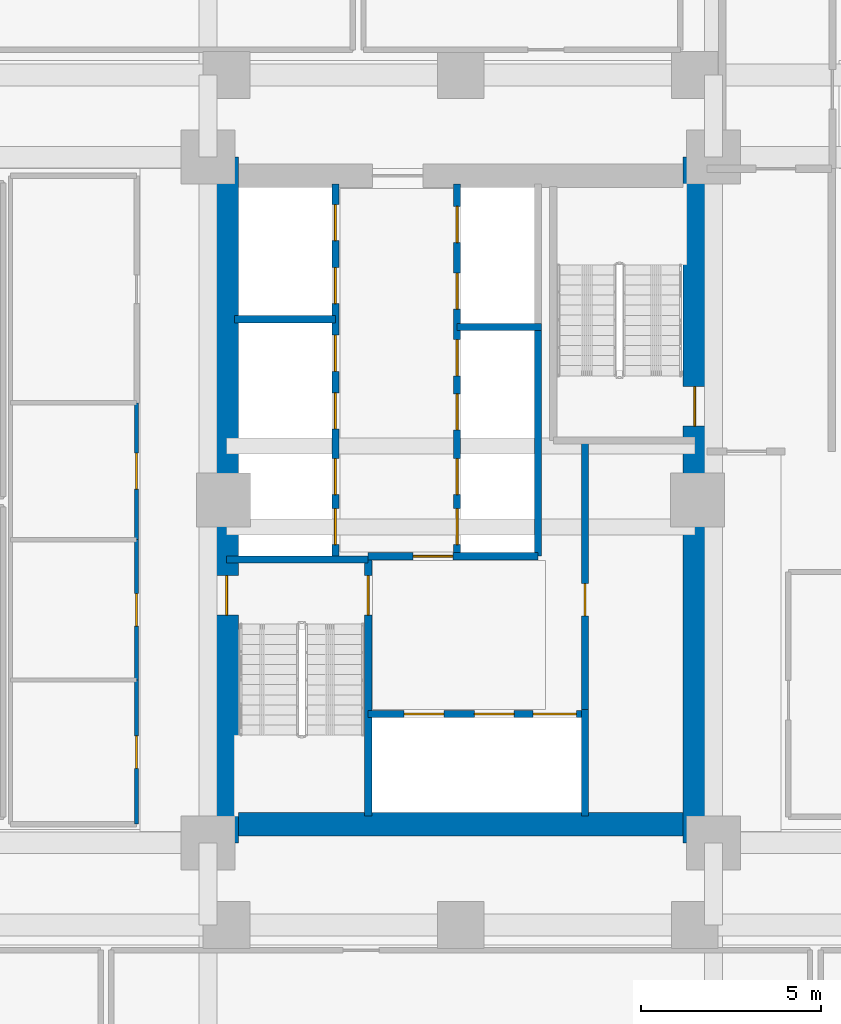
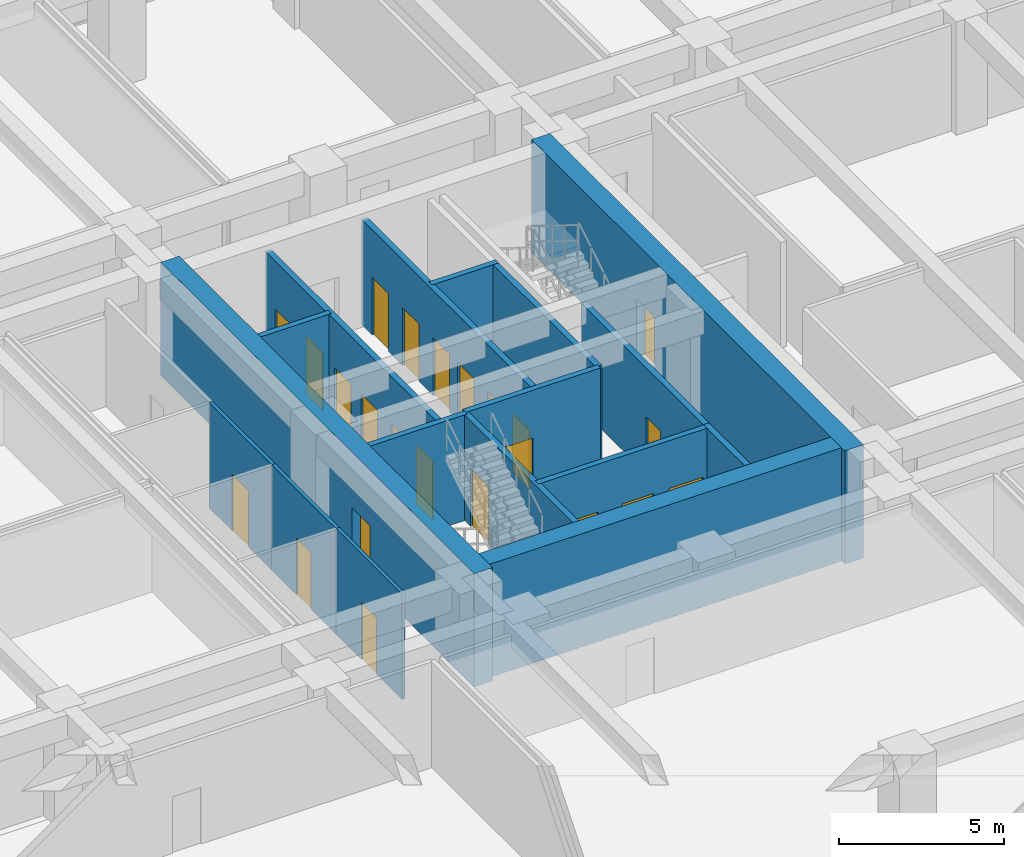
# One storey, part 14 of 24: 23 doors, 17 walls, 23 openings.
"""IFC4 building model written with IfcOpenShell, lengths in metres."""

from ifc_helpers import new_model, si_unit, direction, frame, frame_2d, origin, place, context, subcontext, project, spatial, rectangle, extrude, source, transform, mapped, material, layer, layer_set, type_object, element, fill, save


model = new_model("IFC4")

# Units and contexts
model_context = context("Model", 3, precision=1e-05, world=origin(), true_north=direction((0.0, 1.0)))
body_context = subcontext(model_context, "Body", "Model", "MODEL_VIEW")
ifc_project = project(units=[si_unit("LENGTHUNIT", "METRE"), si_unit("AREAUNIT", "SQUARE_METRE"), si_unit("VOLUMEUNIT", "CUBIC_METRE"), si_unit("PLANEANGLEUNIT", "RADIAN"), si_unit("MASSUNIT", "GRAM", prefix="KILO")], contexts=[model_context])

# Site, building, storey
site_placement = place(None, origin())
site = spatial("IfcSite", under=ifc_project, at=site_placement, CompositionType="ELEMENT")
building_placement = place(site_placement, origin())
building = spatial("IfcBuilding", under=site, at=building_placement, Name="Saelheon Loggia Tower", CompositionType="ELEMENT")
storey_placement = place(building_placement, origin())
storey = spatial("IfcBuildingStorey", under=building, at=storey_placement, Name="L00", CompositionType="ELEMENT", Elevation=0.0)

# Wall, opening, door
ifc_material_1 = material(Name="Concrete C60/75", Category="concrete")
ifc_layer_1 = layer(ifc_material_1, 0.64990234375)
ifc_layer_set_1 = layer_set([ifc_layer_1], Name="Concrete C60/75")
wall_type_1 = type_object("IfcWallType", Name="Wall_CoreShear_650", PredefinedType="SHEAR", material=ifc_layer_set_1)
wall_1_placement = place(storey_placement, frame((31.5, 17.47998046875, 0.0), z_axis=(0.0, 0.0, 1.0), x_axis=(0.0, 1.0, 0.0)))
wall_1 = element("IfcWall", 1, at=wall_1_placement, inside=storey, type_object=wall_type_1, Name="L00 Core Shear Wall West", PredefinedType="SHEAR", context=body_context, shape_type="SweptSolid", body=[
    extrude(rectangle(XDim=19.0400390625, YDim=0.64990234375, at=frame_2d((9.52001953125, 0.0))), origin(), (0.0, 0.0, 1.0), 4.199951171875),
])
opening_1_placement = place(wall_1_placement, frame((6.320068359375, 0.0, 0.0)))
opening_1 = element("IfcOpeningElement", 2, at=opening_1_placement, cuts=wall_1, Name="Opening D-FD2", PredefinedType="OPENING", context=body_context, shape_type="SweptSolid", body=[
    extrude(rectangle(XDim=1.10009765625, YDim=2.14990234375, at=frame_2d((0.550048828125, 1.074951171875))), frame((0.0, 0.3369140625, 0.0), z_axis=(0.0, -1.0, 0.0), x_axis=(1.0, 0.0, 0.0)), (0.0, 0.0, 1.0), 0.673828125),
])
ifc_material_2 = material(Name="Galvanised Steel Fire Door", Category="steel")
door_type_1 = type_object("IfcDoorType", Name="Door_Fire_FD60_1100", OperationType="NOTDEFINED", PredefinedType="DOOR", material=ifc_material_2)
shared_shape_1 = source(origin(), body_context, "Body", "SweptSolid", [
    extrude(rectangle(XDim=1.10009765625, YDim=2.14990234375, at=frame_2d((0.550048828125, 1.074951171875))), frame((0.0, 0.02490234375, 0.0), z_axis=(0.0, -1.0, 0.0), x_axis=(1.0, 0.0, 0.0)), (0.0, 0.0, 1.0), 0.050048828125),
])
door_1_placement = place(opening_1_placement, origin())
door_1 = element("IfcDoor", 3, at=door_1_placement, inside=storey, type_object=door_type_1, Name="L00 Stair ST1 Corridor Door", OperationType="SINGLE_SWING_LEFT", OverallHeight=2.14990234375, OverallWidth=1.10009765625, PredefinedType="DOOR", context=body_context, shape_type="MappedRepresentation", body=[
    mapped(shared_shape_1, transform((0.0, 0.0, 0.0), scale=1.0)),
])
fill(opening_1, door_1)

wall_2_placement = place(storey_placement, frame((44.5, 17.47998046875, 0.0), z_axis=(0.0, 0.0, 1.0), x_axis=(0.0, 1.0, 0.0)))
wall_2 = element("IfcWall", 4, at=wall_2_placement, inside=storey, type_object=wall_type_1, Name="L00 Core Shear Wall East", PredefinedType="SHEAR", context=body_context, shape_type="SweptSolid", body=[
    extrude(rectangle(XDim=19.0400390625, YDim=0.64990234375, at=frame_2d((9.52001953125, 0.0))), origin(), (0.0, 0.0, 1.0), 4.199951171875),
])
opening_2_placement = place(wall_2_placement, frame((12.670166015625, 0.0, 0.0), z_axis=(0.0, 0.0, 1.0), x_axis=(-1.0, 0.0, 0.0)))
opening_2 = element("IfcOpeningElement", 5, at=opening_2_placement, cuts=wall_2, Name="Opening D-FD2", PredefinedType="OPENING", context=body_context, shape_type="SweptSolid", body=[
    extrude(rectangle(XDim=1.10009765625, YDim=2.14990234375, at=frame_2d((0.550048828125, 1.074951171875))), frame((0.0, 0.3369140625, 0.0), z_axis=(0.0, -1.0, 0.0), x_axis=(1.0, 0.0, 0.0)), (0.0, 0.0, 1.0), 0.673828125),
])
door_2_placement = place(opening_2_placement, origin())
door_2 = element("IfcDoor", 6, at=door_2_placement, inside=storey, type_object=door_type_1, Name="L00 Stair ST2 Corridor Door", OperationType="SINGLE_SWING_RIGHT", OverallHeight=2.14990234375, OverallWidth=1.10009765625, PredefinedType="DOOR", context=body_context, shape_type="MappedRepresentation", body=[
    mapped(shared_shape_1, transform((0.0, 0.0, 0.0), scale=1.0)),
])
fill(opening_2, door_2)

# Walls
wall_3_placement = place(storey_placement, frame((31.824951171875, 18.0, 0.0), z_axis=(0.0, 0.0, 1.0), x_axis=(1.0, 0.0, 0.0)))
element("IfcWall", 7, at=wall_3_placement, inside=storey, type_object=wall_type_1, Name="L00 Core Shear Wall South", PredefinedType="SHEAR", context=body_context, shape_type="SweptSolid", body=[
    extrude(rectangle(XDim=12.35009765625, YDim=0.64990234375, at=frame_2d((6.175048828125, 0.0))), origin(), (0.0, 0.0, 1.0), 4.199951171875),
])
ifc_material_3 = material(Name="Concrete C40/50", Category="concrete")
ifc_layer_2 = layer(ifc_material_3, 0.199951171875)
ifc_layer_set_2 = layer_set([ifc_layer_2], Name="Concrete C40/50")
wall_type_2 = type_object("IfcWallType", Name="Wall_Shaft_200", PredefinedType="PARTITIONING", material=ifc_layer_set_2)
wall_4_placement = place(storey_placement, frame((41.449951171875, 18.219970703125, 0.0), z_axis=(0.0, 0.0, 1.0), x_axis=(0.0, 1.0, 0.0)))
element("IfcWall", 8, at=wall_4_placement, inside=storey, type_object=wall_type_2, Name="CW-INT-L00-BOH-W0", PredefinedType="PARTITIONING", context=body_context, shape_type="SweptSolid", body=[
    extrude(rectangle(XDim=2.9599609375, YDim=0.199951171875, at=frame_2d((1.47998046875, 0.0))), origin(), (0.0, 0.0, 1.0), 3.919921875),
])

# Wall, opening, door
wall_5_placement = place(storey_placement, frame((41.449951171875, 21.179931640625, 0.0), z_axis=(0.0, 0.0, 1.0), x_axis=(0.0, 1.0, 0.0)))
wall_5 = element("IfcWall", 9, at=wall_5_placement, inside=storey, type_object=wall_type_2, Name="CW-INT-L00-BOH-W1", PredefinedType="PARTITIONING", context=body_context, shape_type="SweptSolid", body=[
    extrude(rectangle(XDim=7.420166015625, YDim=0.199951171875, at=frame_2d((3.7099609375, 0.0))), origin(), (0.0, 0.0, 1.0), 3.919921875),
])
opening_3_placement = place(wall_5_placement, frame((2.60009765625, 0.0, 0.0)))
opening_3 = element("IfcOpeningElement", 10, at=opening_3_placement, cuts=wall_5, Name="Opening D-RS1", PredefinedType="OPENING", context=body_context, shape_type="SweptSolid", body=[
    extrude(rectangle(XDim=0.89990234375, YDim=2.10009765625, at=frame_2d((0.449951171875, 1.050048828125))), frame((0.0, 0.112060546875, 0.0), z_axis=(0.0, -1.0, 0.0), x_axis=(1.0, 0.0, 0.0)), (0.0, 0.0, 1.0), 0.223876953125),
])
ifc_material_4 = material(Name="Galvanised Steel Riser Access Door", Category="steel")
door_type_2 = type_object("IfcDoorType", Name="Door_Riser_FD60", OperationType="NOTDEFINED", PredefinedType="DOOR", material=ifc_material_4)
shared_shape_2 = source(origin(), body_context, "Body", "SweptSolid", [
    extrude(rectangle(XDim=0.89990234375, YDim=2.10009765625, at=frame_2d((0.449951171875, 1.050048828125))), frame((0.0, 0.02490234375, 0.0), z_axis=(0.0, -1.0, 0.0), x_axis=(1.0, 0.0, 0.0)), (0.0, 0.0, 1.0), 0.050048828125),
])
door_3_placement = place(opening_3_placement, origin())
door_3 = element("IfcDoor", 11, at=door_3_placement, inside=storey, type_object=door_type_2, Name="L00 Core Service Store Door", OperationType="SINGLE_SWING_LEFT", OverallHeight=2.10009765625, OverallWidth=0.89990234375, PredefinedType="DOOR", context=body_context, shape_type="MappedRepresentation", body=[
    mapped(shared_shape_2, transform((0.0, 0.0, 0.0), scale=1.0)),
])
fill(opening_3, door_3)

# Wall
wall_6_placement = place(storey_placement, frame((40.14990234375, 25.43994140625, 0.0), z_axis=(0.0, 0.0, 1.0), x_axis=(0.0, 1.0, 0.0)))
element("IfcWall", 12, at=wall_6_placement, inside=storey, type_object=wall_type_2, Name="L00 Core Service Passage West Wall", PredefinedType="PARTITIONING", context=body_context, shape_type="SweptSolid", body=[
    extrude(rectangle(XDim=6.360107421875, YDim=0.199951171875, at=frame_2d((3.18017578125, 0.0))), origin(), (0.0, 0.0, 1.0), 3.919921875),
])

# Wall, openings, doors
wall_7_placement = place(storey_placement, frame((35.429931640625, 21.06005859375, 0.0), z_axis=(0.0, 0.0, 1.0), x_axis=(1.0, 0.0, 0.0)))
wall_7 = element("IfcWall", 13, at=wall_7_placement, inside=storey, type_object=wall_type_2, Name="L00 Firefighting Lift Shaft Front Wall", PredefinedType="PARTITIONING", context=body_context, shape_type="SweptSolid", body=[
    extrude(rectangle(XDim=6.02001953125, YDim=0.199951171875, at=frame_2d((3.010009765625, 0.0))), origin(), (0.0, 0.0, 1.0), 3.919921875),
])
opening_4_placement = place(wall_7_placement, frame((1.0, 0.0, 0.0)))
opening_4 = element("IfcOpeningElement", 14, at=opening_4_placement, cuts=wall_7, Name="Opening LD2", PredefinedType="OPENING", context=body_context, shape_type="SweptSolid", body=[
    extrude(rectangle(XDim=1.10009765625, YDim=2.14990234375, at=frame_2d((0.550048828125, 1.074951171875))), frame((0.0, 0.112060546875, 0.0), z_axis=(0.0, -1.0, 0.0), x_axis=(1.0, 0.0, 0.0)), (0.0, 0.0, 1.0), 0.223876953125),
])
opening_5_placement = place(wall_7_placement, frame((2.949951171875, 0.0, 0.0)))
opening_5 = element("IfcOpeningElement", 15, at=opening_5_placement, cuts=wall_7, Name="Opening LD2", PredefinedType="OPENING", context=body_context, shape_type="SweptSolid", body=[
    extrude(rectangle(XDim=1.10009765625, YDim=2.14990234375, at=frame_2d((0.550048828125, 1.074951171875))), frame((0.0, 0.112060546875, 0.0), z_axis=(0.0, -1.0, 0.0), x_axis=(1.0, 0.0, 0.0)), (0.0, 0.0, 1.0), 0.223876953125),
])
opening_6_placement = place(wall_7_placement, frame((4.580078125, 0.0, 0.0)))
opening_6 = element("IfcOpeningElement", 16, at=opening_6_placement, cuts=wall_7, Name="Opening LD3", PredefinedType="OPENING", context=body_context, shape_type="SweptSolid", body=[
    extrude(rectangle(XDim=1.199951171875, YDim=2.14990234375, at=frame_2d((0.60009765625, 1.074951171875))), frame((0.0, 0.112060546875, 0.0), z_axis=(0.0, -1.0, 0.0), x_axis=(1.0, 0.0, 0.0)), (0.0, 0.0, 1.0), 0.223876953125),
])
ifc_material_5 = material(Name="Firefighting Stainless Steel 316 Landing Door", Category="steel")
door_type_3 = type_object("IfcDoorType", Name="Door_Lift_LD2", OperationType="DOUBLE_DOOR_SLIDING", PredefinedType="DOOR", material=ifc_material_5)
door_4_placement = place(opening_4_placement, origin())
door_4 = element("IfcDoor", 17, at=door_4_placement, inside=storey, type_object=door_type_3, Name="L00 FF1 Landing Door", OperationType="DOUBLE_DOOR_SLIDING", OverallHeight=2.14990234375, OverallWidth=1.10009765625, PredefinedType="DOOR", context=body_context, shape_type="MappedRepresentation", body=[
    mapped(shared_shape_1, transform((0.0, 0.0, 0.0), scale=1.0)),
])
fill(opening_4, door_4)
door_5_placement = place(opening_5_placement, origin())
door_5 = element("IfcDoor", 18, at=door_5_placement, inside=storey, type_object=door_type_3, Name="L00 FF2 Landing Door", OperationType="DOUBLE_DOOR_SLIDING", OverallHeight=2.14990234375, OverallWidth=1.10009765625, PredefinedType="DOOR", context=body_context, shape_type="MappedRepresentation", body=[
    mapped(shared_shape_1, transform((0.0, 0.0, 0.0), scale=1.0)),
])
fill(opening_5, door_5)
ifc_material_6 = material(Name="Stretcher Lift Stainless Steel 304 Landing Door", Category="steel")
door_type_4 = type_object("IfcDoorType", Name="Door_Lift_LD3", OperationType="DOUBLE_DOOR_SLIDING", PredefinedType="DOOR", material=ifc_material_6)
shared_shape_3 = source(origin(), body_context, "Body", "SweptSolid", [
    extrude(rectangle(XDim=1.199951171875, YDim=2.14990234375, at=frame_2d((0.60009765625, 1.074951171875))), frame((0.0, 0.02490234375, 0.0), z_axis=(0.0, -1.0, 0.0), x_axis=(1.0, 0.0, 0.0)), (0.0, 0.0, 1.0), 0.050048828125),
])
door_6_placement = place(opening_6_placement, origin())
door_6 = element("IfcDoor", 19, at=door_6_placement, inside=storey, type_object=door_type_4, Name="L00 SV1 Landing Door", OperationType="DOUBLE_DOOR_SLIDING", OverallHeight=2.14990234375, OverallWidth=1.199951171875, PredefinedType="DOOR", context=body_context, shape_type="MappedRepresentation", body=[
    mapped(shared_shape_3, transform((0.0, 0.0, 0.0), scale=1.0)),
])
fill(opening_6, door_6)

# Wall, opening, door
wall_8_placement = place(storey_placement, frame((35.429931640625, 25.43994140625, 0.0), z_axis=(0.0, 0.0, 1.0), x_axis=(1.0, 0.0, 0.0)))
wall_8 = element("IfcWall", 20, at=wall_8_placement, inside=storey, type_object=wall_type_2, Name="L00 Firefighting Lobby Compartment Wall", PredefinedType="PARTITIONING", context=body_context, shape_type="SweptSolid", body=[
    extrude(rectangle(XDim=4.719970703125, YDim=0.199951171875, at=frame_2d((2.35986328125, 0.0))), origin(), (0.0, 0.0, 1.0), 3.919921875),
])
opening_7_placement = place(wall_8_placement, frame((1.25, 0.0, 0.0)))
opening_7 = element("IfcOpeningElement", 21, at=opening_7_placement, cuts=wall_8, Name="Opening D-FD2", PredefinedType="OPENING", context=body_context, shape_type="SweptSolid", body=[
    extrude(rectangle(XDim=1.10009765625, YDim=2.14990234375, at=frame_2d((0.550048828125, 1.074951171875))), frame((0.0, 0.112060546875, 0.0), z_axis=(0.0, -1.0, 0.0), x_axis=(1.0, 0.0, 0.0)), (0.0, 0.0, 1.0), 0.223876953125),
])
door_7_placement = place(opening_7_placement, origin())
door_7 = element("IfcDoor", 22, at=door_7_placement, inside=storey, type_object=door_type_1, Name="L00 Firefighting Lobby Door", OperationType="SINGLE_SWING_RIGHT", OverallHeight=2.14990234375, OverallWidth=1.10009765625, PredefinedType="DOOR", context=body_context, shape_type="MappedRepresentation", body=[
    mapped(shared_shape_1, transform((0.0, 0.0, 0.0), scale=1.0)),
])
fill(opening_7, door_7)

# Wall, openings, doors
wall_9_placement = place(storey_placement, frame((34.52001953125, 25.43994140625, 0.0), z_axis=(0.0, 0.0, 1.0), x_axis=(0.0, 1.0, 0.0)))
wall_9 = element("IfcWall", 23, at=wall_9_placement, inside=storey, type_object=wall_type_2, Name="L00 West Passenger Lift Bank Wall", PredefinedType="PARTITIONING", context=body_context, shape_type="SweptSolid", body=[
    extrude(rectangle(XDim=10.340087890625, YDim=0.199951171875, at=frame_2d((5.169921875, 0.0))), origin(), (0.0, 0.0, 1.0), 3.919921875),
])
opening_8_placement = place(wall_9_placement, frame((0.320068359375, 0.0, 0.0)))
opening_8 = element("IfcOpeningElement", 24, at=opening_8_placement, cuts=wall_9, Name="Opening LD1", PredefinedType="OPENING", context=body_context, shape_type="SweptSolid", body=[
    extrude(rectangle(XDim=1.0, YDim=2.14990234375, at=frame_2d((0.5, 1.074951171875))), frame((0.0, 0.112060546875, 0.0), z_axis=(0.0, -1.0, 0.0), x_axis=(1.0, 0.0, 0.0)), (0.0, 0.0, 1.0), 0.223876953125),
])
opening_9_placement = place(wall_9_placement, frame((1.7099609375, 0.0, 0.0)))
opening_9 = element("IfcOpeningElement", 25, at=opening_9_placement, cuts=wall_9, Name="Opening LD1", PredefinedType="OPENING", context=body_context, shape_type="SweptSolid", body=[
    extrude(rectangle(XDim=1.0, YDim=2.14990234375, at=frame_2d((0.5, 1.074951171875))), frame((0.0, 0.112060546875, 0.0), z_axis=(0.0, -1.0, 0.0), x_axis=(1.0, 0.0, 0.0)), (0.0, 0.0, 1.0), 0.223876953125),
])
opening_10_placement = place(wall_9_placement, frame((3.534912109375, 0.0, 0.0)))
opening_10 = element("IfcOpeningElement", 26, at=opening_10_placement, cuts=wall_9, Name="Opening LD1", PredefinedType="OPENING", context=body_context, shape_type="SweptSolid", body=[
    extrude(rectangle(XDim=1.0, YDim=2.14990234375, at=frame_2d((0.5, 1.074951171875))), frame((0.0, 0.112060546875, 0.0), z_axis=(0.0, -1.0, 0.0), x_axis=(1.0, 0.0, 0.0)), (0.0, 0.0, 1.0), 0.223876953125),
])
opening_11_placement = place(wall_9_placement, frame((5.135009765625, 0.0, 0.0)))
opening_11 = element("IfcOpeningElement", 27, at=opening_11_placement, cuts=wall_9, Name="Opening LD1", PredefinedType="OPENING", context=body_context, shape_type="SweptSolid", body=[
    extrude(rectangle(XDim=1.0, YDim=2.14990234375, at=frame_2d((0.5, 1.074951171875))), frame((0.0, 0.112060546875, 0.0), z_axis=(0.0, -1.0, 0.0), x_axis=(1.0, 0.0, 0.0)), (0.0, 0.0, 1.0), 0.223876953125),
])
opening_12_placement = place(wall_9_placement, frame((7.010009765625, 0.0, 0.0)))
opening_12 = element("IfcOpeningElement", 28, at=opening_12_placement, cuts=wall_9, Name="Opening LD1", PredefinedType="OPENING", context=body_context, shape_type="SweptSolid", body=[
    extrude(rectangle(XDim=1.0, YDim=2.14990234375, at=frame_2d((0.5, 1.074951171875))), frame((0.0, 0.112060546875, 0.0), z_axis=(0.0, -1.0, 0.0), x_axis=(1.0, 0.0, 0.0)), (0.0, 0.0, 1.0), 0.223876953125),
])
opening_13_placement = place(wall_9_placement, frame((8.760009765625, 0.0, 0.0)))
opening_13 = element("IfcOpeningElement", 29, at=opening_13_placement, cuts=wall_9, Name="Opening LD1", PredefinedType="OPENING", context=body_context, shape_type="SweptSolid", body=[
    extrude(rectangle(XDim=1.0, YDim=2.14990234375, at=frame_2d((0.5, 1.074951171875))), frame((0.0, 0.112060546875, 0.0), z_axis=(0.0, -1.0, 0.0), x_axis=(1.0, 0.0, 0.0)), (0.0, 0.0, 1.0), 0.223876953125),
])
ifc_material_7 = material(Name="Brushed Stainless Steel 304 Landing Door", Category="steel")
door_type_5 = type_object("IfcDoorType", Name="Door_Lift_LD1", OperationType="DOUBLE_DOOR_SLIDING", PredefinedType="DOOR", material=ifc_material_7)
shared_shape_4 = source(origin(), body_context, "Body", "SweptSolid", [
    extrude(rectangle(XDim=1.0, YDim=2.14990234375, at=frame_2d((0.5, 1.074951171875))), frame((0.0, 0.02490234375, 0.0), z_axis=(0.0, -1.0, 0.0), x_axis=(1.0, 0.0, 0.0)), (0.0, 0.0, 1.0), 0.050048828125),
])
door_8_placement = place(opening_8_placement, origin())
door_8 = element("IfcDoor", 30, at=door_8_placement, inside=storey, type_object=door_type_5, Name="L00 PL1 Landing Door", OperationType="DOUBLE_DOOR_SLIDING", OverallHeight=2.14990234375, OverallWidth=1.0, PredefinedType="DOOR", context=body_context, shape_type="MappedRepresentation", body=[
    mapped(shared_shape_4, transform((0.0, 0.0, 0.0), scale=1.0)),
])
fill(opening_8, door_8)
door_9_placement = place(opening_9_placement, origin())
door_9 = element("IfcDoor", 31, at=door_9_placement, inside=storey, type_object=door_type_5, Name="L00 PL2 Landing Door", OperationType="DOUBLE_DOOR_SLIDING", OverallHeight=2.14990234375, OverallWidth=1.0, PredefinedType="DOOR", context=body_context, shape_type="MappedRepresentation", body=[
    mapped(shared_shape_4, transform((0.0, 0.0, 0.0), scale=1.0)),
])
fill(opening_9, door_9)
door_10_placement = place(opening_10_placement, origin())
door_10 = element("IfcDoor", 32, at=door_10_placement, inside=storey, type_object=door_type_5, Name="L00 PL3 Landing Door", OperationType="DOUBLE_DOOR_SLIDING", OverallHeight=2.14990234375, OverallWidth=1.0, PredefinedType="DOOR", context=body_context, shape_type="MappedRepresentation", body=[
    mapped(shared_shape_4, transform((0.0, 0.0, 0.0), scale=1.0)),
])
fill(opening_10, door_10)
door_11_placement = place(opening_11_placement, origin())
door_11 = element("IfcDoor", 33, at=door_11_placement, inside=storey, type_object=door_type_5, Name="L00 PL4 Landing Door", OperationType="DOUBLE_DOOR_SLIDING", OverallHeight=2.14990234375, OverallWidth=1.0, PredefinedType="DOOR", context=body_context, shape_type="MappedRepresentation", body=[
    mapped(shared_shape_4, transform((0.0, 0.0, 0.0), scale=1.0)),
])
fill(opening_11, door_11)
door_12_placement = place(opening_12_placement, origin())
door_12 = element("IfcDoor", 34, at=door_12_placement, inside=storey, type_object=door_type_5, Name="L00 PH1 Landing Door", OperationType="DOUBLE_DOOR_SLIDING", OverallHeight=2.14990234375, OverallWidth=1.0, PredefinedType="DOOR", context=body_context, shape_type="MappedRepresentation", body=[
    mapped(shared_shape_4, transform((0.0, 0.0, 0.0), scale=1.0)),
])
fill(opening_12, door_12)
door_13_placement = place(opening_13_placement, origin())
door_13 = element("IfcDoor", 35, at=door_13_placement, inside=storey, type_object=door_type_5, Name="L00 PH2 Landing Door", OperationType="DOUBLE_DOOR_SLIDING", OverallHeight=2.14990234375, OverallWidth=1.0, PredefinedType="DOOR", context=body_context, shape_type="MappedRepresentation", body=[
    mapped(shared_shape_4, transform((0.0, 0.0, 0.0), scale=1.0)),
])
fill(opening_13, door_13)

# Wall
wall_10_placement = place(storey_placement, frame((31.719970703125, 32.02001953125, 0.0), z_axis=(0.0, 0.0, 1.0), x_axis=(1.0, 0.0, 0.0)))
element("IfcWall", 36, at=wall_10_placement, inside=storey, type_object=wall_type_2, Name="L00 West High-Rise Shaft Divider", PredefinedType="PARTITIONING", context=body_context, shape_type="SweptSolid", body=[
    extrude(rectangle(XDim=2.800048828125, YDim=0.199951171875, at=frame_2d((1.39990234375, 0.0))), origin(), (0.0, 0.0, 1.0), 3.919921875),
])

# Wall, openings, doors
wall_11_placement = place(storey_placement, frame((37.89990234375, 25.43994140625, 0.0), z_axis=(0.0, 0.0, 1.0), x_axis=(0.0, 1.0, 0.0)))
wall_11 = element("IfcWall", 37, at=wall_11_placement, inside=storey, type_object=wall_type_2, Name="L00 East Passenger Lift Bank Wall", PredefinedType="PARTITIONING", context=body_context, shape_type="SweptSolid", body=[
    extrude(rectangle(XDim=10.340087890625, YDim=0.199951171875, at=frame_2d((5.169921875, 0.0))), origin(), (0.0, 0.0, 1.0), 3.919921875),
])
opening_14_placement = place(wall_11_placement, frame((0.320068359375, 0.0, 0.0)))
opening_14 = element("IfcOpeningElement", 38, at=opening_14_placement, cuts=wall_11, Name="Opening LD1", PredefinedType="OPENING", context=body_context, shape_type="SweptSolid", body=[
    extrude(rectangle(XDim=1.0, YDim=2.14990234375, at=frame_2d((0.5, 1.074951171875))), frame((0.0, 0.112060546875, 0.0), z_axis=(0.0, -1.0, 0.0), x_axis=(1.0, 0.0, 0.0)), (0.0, 0.0, 1.0), 0.223876953125),
])
opening_15_placement = place(wall_11_placement, frame((1.7099609375, 0.0, 0.0)))
opening_15 = element("IfcOpeningElement", 39, at=opening_15_placement, cuts=wall_11, Name="Opening LD1", PredefinedType="OPENING", context=body_context, shape_type="SweptSolid", body=[
    extrude(rectangle(XDim=1.0, YDim=2.14990234375, at=frame_2d((0.5, 1.074951171875))), frame((0.0, 0.112060546875, 0.0), z_axis=(0.0, -1.0, 0.0), x_axis=(1.0, 0.0, 0.0)), (0.0, 0.0, 1.0), 0.223876953125),
])
opening_16_placement = place(wall_11_placement, frame((3.510009765625, 0.0, 0.0)))
opening_16 = element("IfcOpeningElement", 40, at=opening_16_placement, cuts=wall_11, Name="Opening LD1", PredefinedType="OPENING", context=body_context, shape_type="SweptSolid", body=[
    extrude(rectangle(XDim=1.0, YDim=2.14990234375, at=frame_2d((0.5, 1.074951171875))), frame((0.0, 0.112060546875, 0.0), z_axis=(0.0, -1.0, 0.0), x_axis=(1.0, 0.0, 0.0)), (0.0, 0.0, 1.0), 0.223876953125),
])
opening_17_placement = place(wall_11_placement, frame((5.010009765625, 0.0, 0.0)))
opening_17 = element("IfcOpeningElement", 41, at=opening_17_placement, cuts=wall_11, Name="Opening LD1", PredefinedType="OPENING", context=body_context, shape_type="SweptSolid", body=[
    extrude(rectangle(XDim=1.0, YDim=2.14990234375, at=frame_2d((0.5, 1.074951171875))), frame((0.0, 0.112060546875, 0.0), z_axis=(0.0, -1.0, 0.0), x_axis=(1.0, 0.0, 0.0)), (0.0, 0.0, 1.0), 0.223876953125),
])
opening_18_placement = place(wall_11_placement, frame((6.860107421875, 0.0, 0.0)))
opening_18 = element("IfcOpeningElement", 42, at=opening_18_placement, cuts=wall_11, Name="Opening LD1", PredefinedType="OPENING", context=body_context, shape_type="SweptSolid", body=[
    extrude(rectangle(XDim=1.0, YDim=2.14990234375, at=frame_2d((0.5, 1.074951171875))), frame((0.0, 0.112060546875, 0.0), z_axis=(0.0, -1.0, 0.0), x_axis=(1.0, 0.0, 0.0)), (0.0, 0.0, 1.0), 0.223876953125),
])
opening_19_placement = place(wall_11_placement, frame((8.7099609375, 0.0, 0.0)))
opening_19 = element("IfcOpeningElement", 43, at=opening_19_placement, cuts=wall_11, Name="Opening LD1", PredefinedType="OPENING", context=body_context, shape_type="SweptSolid", body=[
    extrude(rectangle(XDim=1.0, YDim=2.14990234375, at=frame_2d((0.5, 1.074951171875))), frame((0.0, 0.112060546875, 0.0), z_axis=(0.0, -1.0, 0.0), x_axis=(1.0, 0.0, 0.0)), (0.0, 0.0, 1.0), 0.223876953125),
])
door_14_placement = place(opening_14_placement, origin())
door_14 = element("IfcDoor", 44, at=door_14_placement, inside=storey, type_object=door_type_5, Name="L00 PM1 Landing Door", OperationType="DOUBLE_DOOR_SLIDING", OverallHeight=2.14990234375, OverallWidth=1.0, PredefinedType="DOOR", context=body_context, shape_type="MappedRepresentation", body=[
    mapped(shared_shape_4, transform((0.0, 0.0, 0.0), scale=1.0)),
])
fill(opening_14, door_14)
door_15_placement = place(opening_15_placement, origin())
door_15 = element("IfcDoor", 45, at=door_15_placement, inside=storey, type_object=door_type_5, Name="L00 PM2 Landing Door", OperationType="DOUBLE_DOOR_SLIDING", OverallHeight=2.14990234375, OverallWidth=1.0, PredefinedType="DOOR", context=body_context, shape_type="MappedRepresentation", body=[
    mapped(shared_shape_4, transform((0.0, 0.0, 0.0), scale=1.0)),
])
fill(opening_15, door_15)
door_16_placement = place(opening_16_placement, origin())
door_16 = element("IfcDoor", 46, at=door_16_placement, inside=storey, type_object=door_type_5, Name="L00 PM3 Landing Door", OperationType="DOUBLE_DOOR_SLIDING", OverallHeight=2.14990234375, OverallWidth=1.0, PredefinedType="DOOR", context=body_context, shape_type="MappedRepresentation", body=[
    mapped(shared_shape_4, transform((0.0, 0.0, 0.0), scale=1.0)),
])
fill(opening_16, door_16)
door_17_placement = place(opening_17_placement, origin())
door_17 = element("IfcDoor", 47, at=door_17_placement, inside=storey, type_object=door_type_5, Name="L00 PM4 Landing Door", OperationType="DOUBLE_DOOR_SLIDING", OverallHeight=2.14990234375, OverallWidth=1.0, PredefinedType="DOOR", context=body_context, shape_type="MappedRepresentation", body=[
    mapped(shared_shape_4, transform((0.0, 0.0, 0.0), scale=1.0)),
])
fill(opening_17, door_17)
door_18_placement = place(opening_18_placement, origin())
door_18 = element("IfcDoor", 48, at=door_18_placement, inside=storey, type_object=door_type_5, Name="L00 PH3 Landing Door", OperationType="DOUBLE_DOOR_SLIDING", OverallHeight=2.14990234375, OverallWidth=1.0, PredefinedType="DOOR", context=body_context, shape_type="MappedRepresentation", body=[
    mapped(shared_shape_4, transform((0.0, 0.0, 0.0), scale=1.0)),
])
fill(opening_18, door_18)
door_19_placement = place(opening_19_placement, origin())
door_19 = element("IfcDoor", 49, at=door_19_placement, inside=storey, type_object=door_type_5, Name="L00 PH4 Landing Door", OperationType="DOUBLE_DOOR_SLIDING", OverallHeight=2.14990234375, OverallWidth=1.0, PredefinedType="DOOR", context=body_context, shape_type="MappedRepresentation", body=[
    mapped(shared_shape_4, transform((0.0, 0.0, 0.0), scale=1.0)),
])
fill(opening_19, door_19)

# Wall
wall_12_placement = place(storey_placement, frame((37.89990234375, 31.800048828125, 0.0), z_axis=(0.0, 0.0, 1.0), x_axis=(1.0, 0.0, 0.0)))
element("IfcWall", 50, at=wall_12_placement, inside=storey, type_object=wall_type_2, Name="L00 East High-Rise Shaft Divider", PredefinedType="PARTITIONING", context=body_context, shape_type="SweptSolid", body=[
    extrude(rectangle(XDim=2.35009765625, YDim=0.199951171875, at=frame_2d((1.175048828125, 0.0))), origin(), (0.0, 0.0, 1.0), 3.919921875),
])

# Wall, opening, door
ifc_material_8 = material(Name="Concrete C45/55", Category="concrete")
ifc_layer_3 = layer(ifc_material_8, 0.199951171875)
ifc_layer_set_3 = layer_set([ifc_layer_3], Name="Concrete C45/55")
wall_type_3 = type_object("IfcWallType", Name="Wall_StairShaft_RC200", PredefinedType="SOLIDWALL", material=ifc_layer_set_3)
wall_13_placement = place(storey_placement, frame((35.429931640625, 18.219970703125, 0.0), z_axis=(0.0, 0.0, 1.0), x_axis=(0.0, 1.0, 0.0)))
wall_13 = element("IfcWall", 51, at=wall_13_placement, inside=storey, type_object=wall_type_3, Name="L00 Stair ST1 Shaft Wall", PredefinedType="SOLIDWALL", context=body_context, shape_type="SweptSolid", body=[
    extrude(rectangle(XDim=7.219970703125, YDim=0.199951171875, at=frame_2d((3.60986328125, 0.0))), origin(), (0.0, 0.0, 1.0), 3.919921875),
])
opening_20_placement = place(wall_13_placement, frame((6.68017578125, 0.0, 0.0), z_axis=(0.0, 0.0, 1.0), x_axis=(-1.0, 0.0, 0.0)))
opening_20 = element("IfcOpeningElement", 52, at=opening_20_placement, cuts=wall_13, Name="Opening D-FD2", PredefinedType="OPENING", context=body_context, shape_type="SweptSolid", body=[
    extrude(rectangle(XDim=1.10009765625, YDim=2.14990234375, at=frame_2d((0.550048828125, 1.074951171875))), frame((0.0, 0.112060546875, 0.0), z_axis=(0.0, -1.0, 0.0), x_axis=(1.0, 0.0, 0.0)), (0.0, 0.0, 1.0), 0.223876953125),
])
door_20_placement = place(opening_20_placement, origin())
door_20 = element("IfcDoor", 53, at=door_20_placement, inside=storey, type_object=door_type_1, Name="L00 Stair ST1 Lobby Door", OperationType="SINGLE_SWING_LEFT", OverallHeight=2.14990234375, OverallWidth=1.10009765625, PredefinedType="DOOR", context=body_context, shape_type="MappedRepresentation", body=[
    mapped(shared_shape_1, transform((0.0, 0.0, 0.0), scale=1.0)),
])
fill(opening_20, door_20)

# Wall
wall_14_placement = place(storey_placement, frame((31.5, 25.35009765625, 0.0), z_axis=(0.0, 0.0, 1.0), x_axis=(1.0, 0.0, 0.0)))
element("IfcWall", 54, at=wall_14_placement, inside=storey, type_object=wall_type_3, Name="L00 Stair ST1 North Wall", PredefinedType="SOLIDWALL", context=body_context, shape_type="SweptSolid", body=[
    extrude(rectangle(XDim=3.929931640625, YDim=0.199951171875, at=frame_2d((1.96484375, 0.0))), origin(), (0.0, 0.0, 1.0), 3.919921875),
])

# Wall, opening, door
ifc_material_9 = material(Name="Moisture-Resistant Cement Board Partition", Category="gypsum")
ifc_layer_4 = layer(ifc_material_9, 0.1201171875)
ifc_layer_set_4 = layer_set([ifc_layer_4], Name="Moisture-Resistant Cement Board Partition")
wall_type_4 = type_object("IfcWallType", Name="Wall_WetPart_120", PredefinedType="PARTITIONING", material=ifc_layer_set_4)
wall_15_placement = place(storey_placement, frame((29.0, 18.0, 0.0), z_axis=(0.0, 0.0, 1.0), x_axis=(0.0, 1.0, 0.0)))
wall_15 = element("IfcWall", 55, at=wall_15_placement, inside=storey, type_object=wall_type_4, Name="PW-L00-WCS-E1", PredefinedType="PARTITIONING", context=body_context, shape_type="SweptSolid", body=[
    extrude(rectangle(XDim=4.0, YDim=0.1201171875, at=frame_2d((2.0, 0.0))), origin(), (0.0, 0.0, 1.0), 3.919921875),
])
opening_21_placement = place(wall_15_placement, frame((1.550048828125, 0.0, 0.0)))
opening_21 = element("IfcOpeningElement", 56, at=opening_21_placement, cuts=wall_15, Name="Opening D-IN2", PredefinedType="OPENING", context=body_context, shape_type="SweptSolid", body=[
    extrude(rectangle(XDim=0.89990234375, YDim=2.10009765625, at=frame_2d((0.449951171875, 1.050048828125))), frame((0.0, 0.072021484375, 0.0), z_axis=(0.0, -1.0, 0.0), x_axis=(1.0, 0.0, 0.0)), (0.0, 0.0, 1.0), 0.14404296875),
])
ifc_material_10 = material(Name="Engineered Oak Flush Door", Category="timber")
door_type_6 = type_object("IfcDoorType", Name="Door_Int_900", OperationType="NOTDEFINED", PredefinedType="DOOR", material=ifc_material_10)
door_21_placement = place(opening_21_placement, origin())
door_21 = element("IfcDoor", 57, at=door_21_placement, inside=storey, type_object=door_type_6, Name="L00 Male WC Door", OperationType="SINGLE_SWING_LEFT", OverallHeight=2.10009765625, OverallWidth=0.89990234375, PredefinedType="DOOR", context=body_context, shape_type="MappedRepresentation", body=[
    mapped(shared_shape_2, transform((0.0, 0.0, 0.0), scale=1.0)),
])
fill(opening_21, door_21)

wall_16_placement = place(storey_placement, frame((29.0, 22.0, 0.0), z_axis=(0.0, 0.0, 1.0), x_axis=(0.0, 1.0, 0.0)))
wall_16 = element("IfcWall", 58, at=wall_16_placement, inside=storey, type_object=wall_type_4, Name="PW-L00-WCS-E2", PredefinedType="PARTITIONING", context=body_context, shape_type="SweptSolid", body=[
    extrude(rectangle(XDim=3.89990234375, YDim=0.1201171875, at=frame_2d((1.949951171875, 0.0))), origin(), (0.0, 0.0, 1.0), 3.919921875),
])
opening_22_placement = place(wall_16_placement, frame((1.5, 0.0, 0.0)))
opening_22 = element("IfcOpeningElement", 59, at=opening_22_placement, cuts=wall_16, Name="Opening D-IN2", PredefinedType="OPENING", context=body_context, shape_type="SweptSolid", body=[
    extrude(rectangle(XDim=0.89990234375, YDim=2.10009765625, at=frame_2d((0.449951171875, 1.050048828125))), frame((0.0, 0.072021484375, 0.0), z_axis=(0.0, -1.0, 0.0), x_axis=(1.0, 0.0, 0.0)), (0.0, 0.0, 1.0), 0.14404296875),
])
door_22_placement = place(opening_22_placement, origin())
door_22 = element("IfcDoor", 60, at=door_22_placement, inside=storey, type_object=door_type_6, Name="L00 Female WC Door", OperationType="SINGLE_SWING_RIGHT", OverallHeight=2.10009765625, OverallWidth=0.89990234375, PredefinedType="DOOR", context=body_context, shape_type="MappedRepresentation", body=[
    mapped(shared_shape_2, transform((0.0, 0.0, 0.0), scale=1.0)),
])
fill(opening_22, door_22)

wall_17_placement = place(storey_placement, frame((29.0, 25.89990234375, 0.0), z_axis=(0.0, 0.0, 1.0), x_axis=(0.0, 1.0, 0.0)))
wall_17 = element("IfcWall", 61, at=wall_17_placement, inside=storey, type_object=wall_type_4, Name="PW-L00-WCS-E3", PredefinedType="PARTITIONING", context=body_context, shape_type="SweptSolid", body=[
    extrude(rectangle(XDim=3.800048828125, YDim=0.1201171875, at=frame_2d((1.89990234375, 0.0))), origin(), (0.0, 0.0, 1.0), 3.919921875),
])
opening_23_placement = place(wall_17_placement, frame((1.39990234375, 0.0, 0.0)))
opening_23 = element("IfcOpeningElement", 62, at=opening_23_placement, cuts=wall_17, Name="Opening D-AC1", PredefinedType="OPENING", context=body_context, shape_type="SweptSolid", body=[
    extrude(rectangle(XDim=1.0, YDim=2.10009765625, at=frame_2d((0.5, 1.050048828125))), frame((0.0, 0.072021484375, 0.0), z_axis=(0.0, -1.0, 0.0), x_axis=(1.0, 0.0, 0.0)), (0.0, 0.0, 1.0), 0.14404296875),
])
ifc_material_11 = material(Name="Accessible Laminate Flush Door", Category="timber")
door_type_7 = type_object("IfcDoorType", Name="Door_Acc_1000", OperationType="NOTDEFINED", PredefinedType="DOOR", material=ifc_material_11)
shared_shape_5 = source(origin(), body_context, "Body", "SweptSolid", [
    extrude(rectangle(XDim=1.0, YDim=2.10009765625, at=frame_2d((0.5, 1.050048828125))), frame((0.0, 0.02490234375, 0.0), z_axis=(0.0, -1.0, 0.0), x_axis=(1.0, 0.0, 0.0)), (0.0, 0.0, 1.0), 0.050048828125),
])
door_23_placement = place(opening_23_placement, origin())
door_23 = element("IfcDoor", 63, at=door_23_placement, inside=storey, type_object=door_type_7, Name="L00 Accessible WC Door", OperationType="SINGLE_SWING_LEFT", OverallHeight=2.10009765625, OverallWidth=1.0, PredefinedType="DOOR", context=body_context, shape_type="MappedRepresentation", body=[
    mapped(shared_shape_5, transform((0.0, 0.0, 0.0), scale=1.0)),
])
fill(opening_23, door_23)

save(model, "model.ifc")
